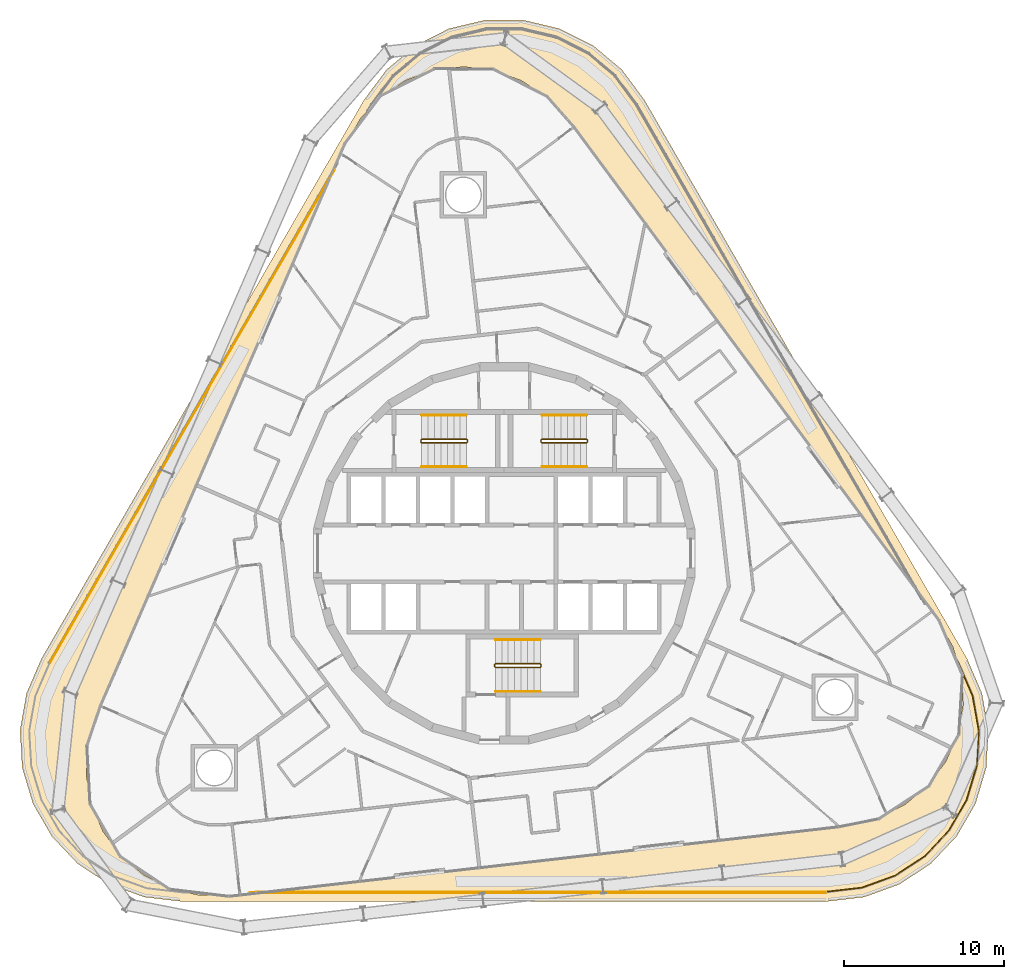
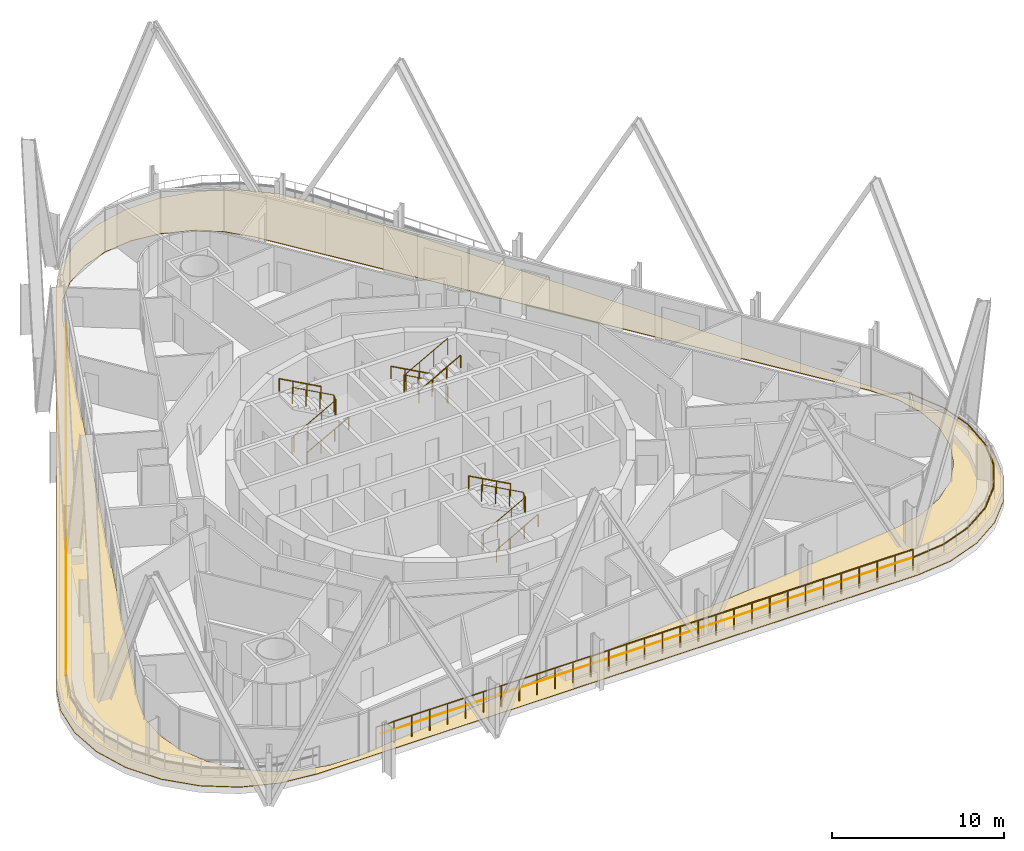
# One storey, part 24 of 32: 13 railings, 1 covering.
"""IFC4 building model written with IfcOpenShell, lengths in metres."""

from ifc_helpers import new_model, si_unit, direction, frame, origin, origin_2d, place, context, subcontext, project, spatial, polyline, circle, outline, extrude, material, layer, layer_set, type_object, element, save


model = new_model("IFC4")

# Units and contexts
model_context = context("Model", 3, precision=1e-05, world=origin(), true_north=direction((0.0, 1.0)))
body_context = subcontext(model_context, "Body", "Model", "MODEL_VIEW")
ifc_project = project(units=[si_unit("LENGTHUNIT", "METRE"), si_unit("AREAUNIT", "SQUARE_METRE"), si_unit("VOLUMEUNIT", "CUBIC_METRE"), si_unit("PLANEANGLEUNIT", "RADIAN"), si_unit("MASSUNIT", "GRAM", prefix="KILO")], contexts=[model_context])

# Site, building, storey
site_placement = place(None, origin())
site = spatial("IfcSite", under=ifc_project, at=site_placement, CompositionType="ELEMENT")
building_placement = place(site_placement, origin())
building = spatial("IfcBuilding", under=site, at=building_placement, Name="Spindle Arch Residences", CompositionType="ELEMENT")
storey_placement = place(building_placement, frame((0.0, 0.0, 76.699951171875)))
storey = spatial("IfcBuildingStorey", under=building, at=storey_placement, Name="L17", CompositionType="ELEMENT", Elevation=76.699951171875)

# Railings
ifc_material_1 = material(Name="Steel, painted", Category="steel")
railing_type_1 = type_object("IfcRailingType", Name="Stair guard 1100", PredefinedType="GUARDRAIL", material=ifc_material_1)
railing_1_placement = place(storey_placement, frame((5.14990234375, 6.89990234375, 3.5)))
element("IfcRailing", 1, at=railing_1_placement, inside=storey, type_object=railing_type_1, Name="L17 ST1 stair guard 1", PredefinedType="GUARDRAIL", context=body_context, shape_type="SweptSolid", body=[
    extrude(circle(Radius=0.02392578125, at=origin_2d()), frame((0.0, 0.0, 1.17578125), z_axis=(-0.877357048833, 0.0, -0.479838106931), x_axis=(0.0, -1.0, 0.0)), (0.0, 0.0, 1.0), 3.191162109375),
    extrude(circle(Radius=0.02392578125, at=origin_2d()), frame((-2.7998046875, 0.0, -0.35546875), z_axis=(-0.217683172539, 0.217683172539, -0.951434744366), x_axis=(-0.707106781187, -0.707106781187, 0.0)), (0.0, 0.0, 1.0), 0.22998046875),
    extrude(circle(Radius=0.02392578125, at=origin_2d()), frame((-2.849853515625, 0.050048828125, -0.57421875), z_axis=(0.0, 1.0, 0.0), x_axis=(-1.0, 0.0, 0.0)), (0.0, 0.0, 1.0), 0.1201171875),
    extrude(circle(Radius=0.02392578125, at=origin_2d()), frame((-2.849853515625, 0.170166015625, -0.57421875), z_axis=(0.707106781187, 0.707106781187, 0.0), x_axis=(-0.707106781187, 0.707106781187, 0.0)), (0.0, 0.0, 1.0), 0.07080078125),
    extrude(circle(Radius=0.02392578125, at=origin_2d()), frame((-2.7998046875, 0.22021484375, -0.57421875), z_axis=(0.877357048833, 0.0, -0.479838106931), x_axis=(0.0, 1.0, 0.0)), (0.0, 0.0, 1.0), 3.191162109375),
    extrude(circle(Radius=0.02392578125, at=origin_2d()), frame((0.0, 0.22021484375, -2.10546875), z_axis=(0.217683172539, -0.217683172539, -0.951434744366), x_axis=(0.707106781187, 0.707106781187, 0.0)), (0.0, 0.0, 1.0), 0.22998046875),
    extrude(circle(Radius=0.02392578125, at=origin_2d()), frame((0.050048828125, 0.170166015625, -2.32421875), z_axis=(0.0, -1.0, 0.0), x_axis=(1.0, 0.0, 0.0)), (0.0, 0.0, 1.0), 0.1201171875),
    extrude(circle(Radius=0.02099609375, at=origin_2d()), origin(), (0.0, 0.0, 1.0), 1.15185546875),
    extrude(circle(Radius=0.02099609375, at=origin_2d()), frame((-0.933349609375, 0.0, -0.510498046875)), (0.0, 0.0, 1.0), 1.15185546875),
    extrude(circle(Radius=0.02099609375, at=origin_2d()), frame((-1.866455078125, 0.0, -1.020751953125)), (0.0, 0.0, 1.0), 1.15185546875),
    extrude(circle(Radius=0.02099609375, at=origin_2d()), frame((-2.7998046875, 0.0, -1.53125)), (0.0, 0.0, 1.0), 1.15185546875),
    extrude(circle(Radius=0.02099609375, at=origin_2d()), frame((-2.849853515625, 0.050048828125, -1.75)), (0.0, 0.0, 1.0), 1.15185546875),
    extrude(circle(Radius=0.02099609375, at=origin_2d()), frame((-2.849853515625, 0.170166015625, -1.75)), (0.0, 0.0, 1.0), 1.15185546875),
    extrude(circle(Radius=0.02099609375, at=origin_2d()), frame((-2.7998046875, 0.22021484375, -1.75)), (0.0, 0.0, 1.0), 1.15185546875),
    extrude(circle(Radius=0.02099609375, at=origin_2d()), frame((-1.866455078125, 0.22021484375, -2.260498046875)), (0.0, 0.0, 1.0), 1.15185546875),
    extrude(circle(Radius=0.02099609375, at=origin_2d()), frame((-0.933349609375, 0.22021484375, -2.770751953125)), (0.0, 0.0, 1.0), 1.15185546875),
    extrude(circle(Radius=0.02099609375, at=origin_2d()), frame((0.0, 0.22021484375, -3.28125)), (0.0, 0.0, 1.0), 1.15185546875),
    extrude(circle(Radius=0.02099609375, at=origin_2d()), frame((0.050048828125, 0.170166015625, -3.5)), (0.0, 0.0, 1.0), 1.15185546875),
    extrude(circle(Radius=0.02099609375, at=origin_2d()), frame((0.050048828125, 0.050048828125, -3.5)), (0.0, 0.0, 1.0), 1.15185546875),
])
railing_2_placement = place(storey_placement, frame((-5.14990234375, 7.1201171875, 3.5)))
element("IfcRailing", 2, at=railing_2_placement, inside=storey, type_object=railing_type_1, Name="L17 ST2 stair guard 1", PredefinedType="GUARDRAIL", context=body_context, shape_type="SweptSolid", body=[
    extrude(circle(Radius=0.02392578125, at=origin_2d()), frame((0.0, 0.0, 1.17578125), z_axis=(0.877357048833, 0.0, -0.479838106931), x_axis=(0.0, 1.0, 0.0)), (0.0, 0.0, 1.0), 3.191162109375),
    extrude(circle(Radius=0.02392578125, at=origin_2d()), frame((2.7998046875, 0.0, -0.35546875), z_axis=(0.217683172539, -0.217683172539, -0.951434744366), x_axis=(0.707106781187, 0.707106781187, 0.0)), (0.0, 0.0, 1.0), 0.22998046875),
    extrude(circle(Radius=0.02392578125, at=origin_2d()), frame((2.849853515625, -0.050048828125, -0.57421875), z_axis=(0.0, -1.0, 0.0), x_axis=(1.0, 0.0, 0.0)), (0.0, 0.0, 1.0), 0.1201171875),
    extrude(circle(Radius=0.02392578125, at=origin_2d()), frame((2.849853515625, -0.170166015625, -0.57421875), z_axis=(-0.707106781187, -0.707106781187, 0.0), x_axis=(0.707106781187, -0.707106781187, 0.0)), (0.0, 0.0, 1.0), 0.07080078125),
    extrude(circle(Radius=0.02392578125, at=origin_2d()), frame((2.7998046875, -0.22021484375, -0.57421875), z_axis=(-0.877357048833, 0.0, -0.479838106931), x_axis=(0.0, -1.0, 0.0)), (0.0, 0.0, 1.0), 3.191162109375),
    extrude(circle(Radius=0.02392578125, at=origin_2d()), frame((0.0, -0.22021484375, -2.10546875), z_axis=(-0.217683172539, 0.217683172539, -0.951434744366), x_axis=(-0.707106781187, -0.707106781187, 0.0)), (0.0, 0.0, 1.0), 0.22998046875),
    extrude(circle(Radius=0.02392578125, at=origin_2d()), frame((-0.050048828125, -0.170166015625, -2.32421875), z_axis=(0.0, 1.0, 0.0), x_axis=(-1.0, 0.0, 0.0)), (0.0, 0.0, 1.0), 0.1201171875),
    extrude(circle(Radius=0.02099609375, at=origin_2d()), origin(), (0.0, 0.0, 1.0), 1.15185546875),
    extrude(circle(Radius=0.02099609375, at=origin_2d()), frame((0.933349609375, 0.0, -0.510498046875)), (0.0, 0.0, 1.0), 1.15185546875),
    extrude(circle(Radius=0.02099609375, at=origin_2d()), frame((1.866455078125, 0.0, -1.020751953125)), (0.0, 0.0, 1.0), 1.15185546875),
    extrude(circle(Radius=0.02099609375, at=origin_2d()), frame((2.7998046875, 0.0, -1.53125)), (0.0, 0.0, 1.0), 1.15185546875),
    extrude(circle(Radius=0.02099609375, at=origin_2d()), frame((2.849853515625, -0.050048828125, -1.75)), (0.0, 0.0, 1.0), 1.15185546875),
    extrude(circle(Radius=0.02099609375, at=origin_2d()), frame((2.849853515625, -0.170166015625, -1.75)), (0.0, 0.0, 1.0), 1.15185546875),
    extrude(circle(Radius=0.02099609375, at=origin_2d()), frame((2.7998046875, -0.22021484375, -1.75)), (0.0, 0.0, 1.0), 1.15185546875),
    extrude(circle(Radius=0.02099609375, at=origin_2d()), frame((1.866455078125, -0.22021484375, -2.260498046875)), (0.0, 0.0, 1.0), 1.15185546875),
    extrude(circle(Radius=0.02099609375, at=origin_2d()), frame((0.933349609375, -0.22021484375, -2.770751953125)), (0.0, 0.0, 1.0), 1.15185546875),
    extrude(circle(Radius=0.02099609375, at=origin_2d()), frame((0.0, -0.22021484375, -3.28125)), (0.0, 0.0, 1.0), 1.15185546875),
    extrude(circle(Radius=0.02099609375, at=origin_2d()), frame((-0.050048828125, -0.170166015625, -3.5)), (0.0, 0.0, 1.0), 1.15185546875),
    extrude(circle(Radius=0.02099609375, at=origin_2d()), frame((-0.050048828125, -0.050048828125, -3.5)), (0.0, 0.0, 1.0), 1.15185546875),
])
railing_3_placement = place(storey_placement, frame((-0.550048828125, -6.89990234375, 3.5)))
element("IfcRailing", 3, at=railing_3_placement, inside=storey, type_object=railing_type_1, Name="L17 ST3 stair guard 1", PredefinedType="GUARDRAIL", context=body_context, shape_type="SweptSolid", body=[
    extrude(circle(Radius=0.02392578125, at=origin_2d()), frame((0.0, 0.0, 1.17578125), z_axis=(0.877374661878, 0.0, -0.479805901063), x_axis=(0.0, 1.0, 0.0)), (0.0, 0.0, 1.0), 3.19140625),
    extrude(circle(Radius=0.02392578125, at=origin_2d()), frame((2.800048828125, 0.0, -0.35546875), z_axis=(0.217683172539, -0.217683172539, -0.951434744366), x_axis=(0.707106781187, 0.707106781187, 0.0)), (0.0, 0.0, 1.0), 0.22998046875),
    extrude(circle(Radius=0.02392578125, at=origin_2d()), frame((2.85009765625, -0.050048828125, -0.57421875), z_axis=(0.0, -1.0, 0.0), x_axis=(1.0, 0.0, 0.0)), (0.0, 0.0, 1.0), 0.1201171875),
    extrude(circle(Radius=0.02392578125, at=origin_2d()), frame((2.85009765625, -0.170166015625, -0.57421875), z_axis=(-0.707106781187, -0.707106781187, 0.0), x_axis=(0.707106781187, -0.707106781187, 0.0)), (0.0, 0.0, 1.0), 0.07080078125),
    extrude(circle(Radius=0.02392578125, at=origin_2d()), frame((2.800048828125, -0.22021484375, -0.57421875), z_axis=(-0.877374661878, 0.0, -0.479805901063), x_axis=(0.0, -1.0, 0.0)), (0.0, 0.0, 1.0), 3.19140625),
    extrude(circle(Radius=0.02392578125, at=origin_2d()), frame((0.0, -0.22021484375, -2.10546875), z_axis=(-0.217683172539, 0.217683172539, -0.951434744366), x_axis=(-0.707106781187, -0.707106781187, 0.0)), (0.0, 0.0, 1.0), 0.22998046875),
    extrude(circle(Radius=0.02392578125, at=origin_2d()), frame((-0.050048828125, -0.170166015625, -2.32421875), z_axis=(0.0, 1.0, 0.0), x_axis=(-1.0, 0.0, 0.0)), (0.0, 0.0, 1.0), 0.1201171875),
    extrude(circle(Radius=0.02099609375, at=origin_2d()), origin(), (0.0, 0.0, 1.0), 1.15185546875),
    extrude(circle(Radius=0.02099609375, at=origin_2d()), frame((0.933349609375, 0.0, -0.510498046875)), (0.0, 0.0, 1.0), 1.15185546875),
    extrude(circle(Radius=0.02099609375, at=origin_2d()), frame((1.86669921875, 0.0, -1.020751953125)), (0.0, 0.0, 1.0), 1.15185546875),
    extrude(circle(Radius=0.02099609375, at=origin_2d()), frame((2.800048828125, 0.0, -1.53125)), (0.0, 0.0, 1.0), 1.15185546875),
    extrude(circle(Radius=0.02099609375, at=origin_2d()), frame((2.85009765625, -0.050048828125, -1.75)), (0.0, 0.0, 1.0), 1.15185546875),
    extrude(circle(Radius=0.02099609375, at=origin_2d()), frame((2.85009765625, -0.170166015625, -1.75)), (0.0, 0.0, 1.0), 1.15185546875),
    extrude(circle(Radius=0.02099609375, at=origin_2d()), frame((2.800048828125, -0.22021484375, -1.75)), (0.0, 0.0, 1.0), 1.15185546875),
    extrude(circle(Radius=0.02099609375, at=origin_2d()), frame((1.86669921875, -0.22021484375, -2.260498046875)), (0.0, 0.0, 1.0), 1.15185546875),
    extrude(circle(Radius=0.02099609375, at=origin_2d()), frame((0.933349609375, -0.22021484375, -2.770751953125)), (0.0, 0.0, 1.0), 1.15185546875),
    extrude(circle(Radius=0.02099609375, at=origin_2d()), frame((0.0, -0.22021484375, -3.28125)), (0.0, 0.0, 1.0), 1.15185546875),
    extrude(circle(Radius=0.02099609375, at=origin_2d()), frame((-0.050048828125, -0.170166015625, -3.5)), (0.0, 0.0, 1.0), 1.15185546875),
    extrude(circle(Radius=0.02099609375, at=origin_2d()), frame((-0.050048828125, -0.050048828125, -3.5)), (0.0, 0.0, 1.0), 1.15185546875),
])
ifc_material_2 = material(Name="Steel, painted", Category="steel")
railing_type_2 = type_object("IfcRailingType", Name="Stair handrail 900", PredefinedType="HANDRAIL", material=ifc_material_2)
railing_4_placement = place(storey_placement, frame((5.14990234375, 8.6201171875, 0.21875)))
element("IfcRailing", 4, at=railing_4_placement, inside=storey, type_object=railing_type_2, Name="L17 ST1 stair handrail 1", PredefinedType="HANDRAIL", context=body_context, shape_type="SweptSolid", body=[
    extrude(circle(Radius=0.02392578125, at=origin_2d()), frame((0.0, 0.0, 0.8759765625), z_axis=(-0.877357048833, 0.0, 0.479838106931), x_axis=(0.0, -1.0, 0.0)), (0.0, 0.0, 1.0), 3.191162109375),
    extrude(circle(Radius=0.02099609375, at=origin_2d()), origin(), (0.0, 0.0, 1.0), 0.851806640625),
    extrude(circle(Radius=0.02099609375, at=origin_2d()), frame((-0.933349609375, 0.0, 0.510498046875)), (0.0, 0.0, 1.0), 0.851806640625),
    extrude(circle(Radius=0.02099609375, at=origin_2d()), frame((-1.866455078125, 0.0, 1.020751953125)), (0.0, 0.0, 1.0), 0.851806640625),
    extrude(circle(Radius=0.02099609375, at=origin_2d()), frame((-2.7998046875, 0.0, 1.53125)), (0.0, 0.0, 1.0), 0.851806640625),
])
for number, where, name in (
    (5, (2.35009765625, 5.39990234375, 1.96875), "L17 ST1 stair handrail 2"),
    (6, (-5.14990234375, 5.39990234375, 0.21875), "L17 ST2 stair handrail 1"),
):
    element("IfcRailing", number, at=place(storey_placement, frame(where)), inside=storey, type_object=railing_type_2, Name=name, PredefinedType="HANDRAIL", context=body_context, shape_type="SweptSolid", body=[
        extrude(circle(Radius=0.02392578125, at=origin_2d()), frame((0.0, 0.0, 0.8759765625), z_axis=(0.877357048833, 0.0, 0.479838106931), x_axis=(0.0, 1.0, 0.0)), (0.0, 0.0, 1.0), 3.191162109375),
        extrude(circle(Radius=0.02099609375, at=origin_2d()), origin(), (0.0, 0.0, 1.0), 0.851806640625),
        extrude(circle(Radius=0.02099609375, at=origin_2d()), frame((0.933349609375, 0.0, 0.510498046875)), (0.0, 0.0, 1.0), 0.851806640625),
        extrude(circle(Radius=0.02099609375, at=origin_2d()), frame((1.866455078125, 0.0, 1.020751953125)), (0.0, 0.0, 1.0), 0.851806640625),
        extrude(circle(Radius=0.02099609375, at=origin_2d()), frame((2.7998046875, 0.0, 1.53125)), (0.0, 0.0, 1.0), 0.851806640625),
    ])
railing_5_placement = place(storey_placement, frame((-2.35009765625, 8.6201171875, 1.96875)))
element("IfcRailing", 7, at=railing_5_placement, inside=storey, type_object=railing_type_2, Name="L17 ST2 stair handrail 2", PredefinedType="HANDRAIL", context=body_context, shape_type="SweptSolid", body=[
    extrude(circle(Radius=0.02392578125, at=origin_2d()), frame((0.0, 0.0, 0.8759765625), z_axis=(-0.877357048833, 0.0, 0.479838106931), x_axis=(0.0, -1.0, 0.0)), (0.0, 0.0, 1.0), 3.191162109375),
    extrude(circle(Radius=0.02099609375, at=origin_2d()), origin(), (0.0, 0.0, 1.0), 0.851806640625),
    extrude(circle(Radius=0.02099609375, at=origin_2d()), frame((-0.933349609375, 0.0, 0.510498046875)), (0.0, 0.0, 1.0), 0.851806640625),
    extrude(circle(Radius=0.02099609375, at=origin_2d()), frame((-1.866455078125, 0.0, 1.020751953125)), (0.0, 0.0, 1.0), 0.851806640625),
    extrude(circle(Radius=0.02099609375, at=origin_2d()), frame((-2.7998046875, 0.0, 1.53125)), (0.0, 0.0, 1.0), 0.851806640625),
])
railing_6_placement = place(storey_placement, frame((-0.550048828125, -8.6201171875, 0.21875)))
element("IfcRailing", 8, at=railing_6_placement, inside=storey, type_object=railing_type_2, Name="L17 ST3 stair handrail 1", PredefinedType="HANDRAIL", context=body_context, shape_type="SweptSolid", body=[
    extrude(circle(Radius=0.02392578125, at=origin_2d()), frame((0.0, 0.0, 0.8759765625), z_axis=(0.877374661878, 0.0, 0.479805901063), x_axis=(0.0, 1.0, 0.0)), (0.0, 0.0, 1.0), 3.19140625),
    extrude(circle(Radius=0.02099609375, at=origin_2d()), origin(), (0.0, 0.0, 1.0), 0.851806640625),
    extrude(circle(Radius=0.02099609375, at=origin_2d()), frame((0.933349609375, 0.0, 0.510498046875)), (0.0, 0.0, 1.0), 0.851806640625),
    extrude(circle(Radius=0.02099609375, at=origin_2d()), frame((1.86669921875, 0.0, 1.020751953125)), (0.0, 0.0, 1.0), 0.851806640625),
    extrude(circle(Radius=0.02099609375, at=origin_2d()), frame((2.800048828125, 0.0, 1.53125)), (0.0, 0.0, 1.0), 0.851806640625),
])
railing_7_placement = place(storey_placement, frame((2.25, -5.39990234375, 1.96875)))
element("IfcRailing", 9, at=railing_7_placement, inside=storey, type_object=railing_type_2, Name="L17 ST3 stair handrail 2", PredefinedType="HANDRAIL", context=body_context, shape_type="SweptSolid", body=[
    extrude(circle(Radius=0.02392578125, at=origin_2d()), frame((0.0, 0.0, 0.8759765625), z_axis=(-0.877374661878, 0.0, 0.479805901063), x_axis=(0.0, -1.0, 0.0)), (0.0, 0.0, 1.0), 3.19140625),
    extrude(circle(Radius=0.02099609375, at=origin_2d()), origin(), (0.0, 0.0, 1.0), 0.851806640625),
    extrude(circle(Radius=0.02099609375, at=origin_2d()), frame((-0.933349609375, 0.0, 0.510498046875)), (0.0, 0.0, 1.0), 0.851806640625),
    extrude(circle(Radius=0.02099609375, at=origin_2d()), frame((-1.86669921875, 0.0, 1.020751953125)), (0.0, 0.0, 1.0), 0.851806640625),
    extrude(circle(Radius=0.02099609375, at=origin_2d()), frame((-2.800048828125, 0.0, 1.53125)), (0.0, 0.0, 1.0), 0.851806640625),
])
ifc_material_3 = material(Name="Bronze anodised aluminium guard with glass infill", Category="aluminium")
railing_type_3 = type_object("IfcRailingType", Name="Terrace guard 1500", PredefinedType="GUARDRAIL", material=ifc_material_3)
railing_8_placement = place(storey_placement, frame((20.111572265625, -21.179931640625, 0.030029296875)))
element("IfcRailing", 10, at=railing_8_placement, inside=storey, type_object=railing_type_3, Name="Terrace guard L16 1", PredefinedType="GUARDRAIL", context=body_context, shape_type="SweptSolid", body=[
    extrude(circle(Radius=0.02392578125, at=origin_2d()), frame((0.0, 0.0, 1.47607421875), z_axis=(-1.0, 0.0, 0.0), x_axis=(0.0, -1.0, 0.0)), (0.0, 0.0, 1.0), 35.97900390625),
    extrude(circle(Radius=0.02099609375, at=origin_2d()), origin(), (0.0, 0.0, 1.0), 1.451904296875),
    extrude(circle(Radius=0.02099609375, at=origin_2d()), frame((-1.19921875, 0.0, 0.0)), (0.0, 0.0, 1.0), 1.451904296875),
    extrude(circle(Radius=0.02099609375, at=origin_2d()), frame((-2.398681640625, 0.0, 0.0)), (0.0, 0.0, 1.0), 1.451904296875),
    extrude(circle(Radius=0.02099609375, at=origin_2d()), frame((-3.597900390625, 0.0, 0.0)), (0.0, 0.0, 1.0), 1.451904296875),
    extrude(circle(Radius=0.02099609375, at=origin_2d()), frame((-4.797119140625, 0.0, 0.0)), (0.0, 0.0, 1.0), 1.451904296875),
    extrude(circle(Radius=0.02099609375, at=origin_2d()), frame((-5.99658203125, 0.0, 0.0)), (0.0, 0.0, 1.0), 1.451904296875),
    extrude(circle(Radius=0.02099609375, at=origin_2d()), frame((-7.19580078125, 0.0, 0.0)), (0.0, 0.0, 1.0), 1.451904296875),
    extrude(circle(Radius=0.02099609375, at=origin_2d()), frame((-8.39501953125, 0.0, 0.0)), (0.0, 0.0, 1.0), 1.451904296875),
    extrude(circle(Radius=0.02099609375, at=origin_2d()), frame((-9.594482421875, 0.0, 0.0)), (0.0, 0.0, 1.0), 1.451904296875),
    extrude(circle(Radius=0.02099609375, at=origin_2d()), frame((-10.793701171875, 0.0, 0.0)), (0.0, 0.0, 1.0), 1.451904296875),
    extrude(circle(Radius=0.02099609375, at=origin_2d()), frame((-11.992919921875, 0.0, 0.0)), (0.0, 0.0, 1.0), 1.451904296875),
    extrude(circle(Radius=0.02099609375, at=origin_2d()), frame((-13.1923828125, 0.0, 0.0)), (0.0, 0.0, 1.0), 1.451904296875),
    extrude(circle(Radius=0.02099609375, at=origin_2d()), frame((-14.3916015625, 0.0, 0.0)), (0.0, 0.0, 1.0), 1.451904296875),
    extrude(circle(Radius=0.02099609375, at=origin_2d()), frame((-15.5908203125, 0.0, 0.0)), (0.0, 0.0, 1.0), 1.451904296875),
    extrude(circle(Radius=0.02099609375, at=origin_2d()), frame((-16.790283203125, 0.0, 0.0)), (0.0, 0.0, 1.0), 1.451904296875),
    extrude(circle(Radius=0.02099609375, at=origin_2d()), frame((-17.989501953125, 0.0, 0.0)), (0.0, 0.0, 1.0), 1.451904296875),
    extrude(circle(Radius=0.02099609375, at=origin_2d()), frame((-19.188720703125, 0.0, 0.0)), (0.0, 0.0, 1.0), 1.451904296875),
    extrude(circle(Radius=0.02099609375, at=origin_2d()), frame((-20.38818359375, 0.0, 0.0)), (0.0, 0.0, 1.0), 1.451904296875),
    extrude(circle(Radius=0.02099609375, at=origin_2d()), frame((-21.58740234375, 0.0, 0.0)), (0.0, 0.0, 1.0), 1.451904296875),
    extrude(circle(Radius=0.02099609375, at=origin_2d()), frame((-22.78662109375, 0.0, 0.0)), (0.0, 0.0, 1.0), 1.451904296875),
    extrude(circle(Radius=0.02099609375, at=origin_2d()), frame((-23.986083984375, 0.0, 0.0)), (0.0, 0.0, 1.0), 1.451904296875),
    extrude(circle(Radius=0.02099609375, at=origin_2d()), frame((-25.185302734375, 0.0, 0.0)), (0.0, 0.0, 1.0), 1.451904296875),
    extrude(circle(Radius=0.02099609375, at=origin_2d()), frame((-26.384521484375, 0.0, 0.0)), (0.0, 0.0, 1.0), 1.451904296875),
    extrude(circle(Radius=0.02099609375, at=origin_2d()), frame((-27.583984375, 0.0, 0.0)), (0.0, 0.0, 1.0), 1.451904296875),
    extrude(circle(Radius=0.02099609375, at=origin_2d()), frame((-28.783203125, 0.0, 0.0)), (0.0, 0.0, 1.0), 1.451904296875),
    extrude(circle(Radius=0.02099609375, at=origin_2d()), frame((-29.982421875, 0.0, 0.0)), (0.0, 0.0, 1.0), 1.451904296875),
    extrude(circle(Radius=0.02099609375, at=origin_2d()), frame((-31.181884765625, 0.0, 0.0)), (0.0, 0.0, 1.0), 1.451904296875),
    extrude(circle(Radius=0.02099609375, at=origin_2d()), frame((-32.381103515625, 0.0, 0.0)), (0.0, 0.0, 1.0), 1.451904296875),
    extrude(circle(Radius=0.02099609375, at=origin_2d()), frame((-33.580322265625, 0.0, 0.0)), (0.0, 0.0, 1.0), 1.451904296875),
    extrude(circle(Radius=0.02099609375, at=origin_2d()), frame((-34.77978515625, 0.0, 0.0)), (0.0, 0.0, 1.0), 1.451904296875),
    extrude(circle(Radius=0.02099609375, at=origin_2d()), frame((-35.97900390625, 0.0, 0.0)), (0.0, 0.0, 1.0), 1.451904296875),
])
ifc_material_4 = material(Name="Bronze anodised aluminium handrail", Category="aluminium")
railing_type_4 = type_object("IfcRailingType", Name="Terrace handrail 900", PredefinedType="HANDRAIL", material=ifc_material_4)
railing_9_placement = place(storey_placement, frame((20.109130859375, -21.137939453125, 0.030029296875)))
element("IfcRailing", 11, at=railing_9_placement, inside=storey, type_object=railing_type_4, Name="Terrace handrail L16 1", PredefinedType="HANDRAIL", context=body_context, shape_type="SweptSolid", body=[
    extrude(circle(Radius=0.02392578125, at=origin_2d()), frame((0.0, 0.0, 0.8759765625), z_axis=(-1.0, 0.0, 0.0), x_axis=(0.0, -1.0, 0.0)), (0.0, 0.0, 1.0), 35.60791015625),
])
railing_10_placement = place(storey_placement, frame((-28.360595703125, -6.845947265625, 0.030029296875)))
element("IfcRailing", 12, at=railing_10_placement, inside=storey, type_object=railing_type_4, Name="Terrace handrail L16 4", PredefinedType="HANDRAIL", context=body_context, shape_type="SweptSolid", body=[
    extrude(circle(Radius=0.02392578125, at=origin_2d()), frame((0.0, 0.0, 0.8759765625), z_axis=(0.500002390388, 0.866024023689, 0.0), x_axis=(-0.866024023689, 0.500002390388, 0.0)), (0.0, 0.0, 1.0), 35.607666015625),
])
railing_11_placement = place(storey_placement, frame((28.231201171875, -6.602783203125, 0.030029296875)))
element("IfcRailing", 13, at=railing_11_placement, inside=storey, type_object=railing_type_4, Name="Terrace handrail L16 9", PredefinedType="HANDRAIL", context=body_context, shape_type="SweptSolid", body=[
    extrude(circle(Radius=0.02392578125, at=origin_2d()), frame((0.0, 0.0, 0.8759765625), z_axis=(-0.962449675986, -0.271460165022, 0.0), x_axis=(0.271460165022, -0.962449675986, 0.0)), (0.0, 0.0, 1.0), 0.010009765625),
    extrude(circle(Radius=0.02392578125, at=origin_2d()), frame((-0.009521484375, -0.002685546875, 0.8759765625), z_axis=(0.500204365392, -0.865907381215, 0.0), x_axis=(0.865907381215, 0.500204365392, 0.0)), (0.0, 0.0, 1.0), 0.27783203125),
    extrude(circle(Radius=0.02392578125, at=origin_2d()), frame((0.12939453125, -0.2431640625, 0.8759765625), z_axis=(0.396047894447, -0.918229854287, 0.0), x_axis=(0.918229854287, 0.396047894447, 0.0)), (0.0, 0.0, 1.0), 2.241455078125),
    extrude(circle(Radius=0.02392578125, at=origin_2d()), frame((1.01708984375, -2.30126953125, 0.8759765625), z_axis=(0.173684358034, -0.984801372752, 0.0), x_axis=(0.984801372752, 0.173684358034, 0.0)), (0.0, 0.0, 1.0), 2.206787109375),
    extrude(circle(Radius=0.02392578125, at=origin_2d()), frame((1.400390625, -4.474609375, 0.8759765625), z_axis=(-0.058196664359, -0.99830513785, 0.0), x_axis=(0.99830513785, -0.058196664359, 0.0)), (0.0, 0.0, 1.0), 2.20654296875),
    extrude(circle(Radius=0.02392578125, at=origin_2d()), frame((1.27197265625, -6.677490234375, 0.8759765625), z_axis=(-0.286769276375, -0.957999677519, 0.0), x_axis=(0.957999677519, -0.286769276375, 0.0)), (0.0, 0.0, 1.0), 2.206787109375),
    extrude(circle(Radius=0.02392578125, at=origin_2d()), frame((0.63916015625, -8.79150390625, 0.8759765625), z_axis=(-0.500089568931, -0.865973684962, 0.0), x_axis=(0.865973684962, -0.500089568931, 0.0)), (0.0, 0.0, 1.0), 2.20654296875),
    extrude(circle(Radius=0.02392578125, at=origin_2d()), frame((-0.46435546875, -10.702392578125, 0.8759765625), z_axis=(-0.686171827527, -0.727439497902, 0.0), x_axis=(0.727439497902, -0.686171827527, 0.0)), (0.0, 0.0, 1.0), 2.206787109375),
    extrude(circle(Radius=0.02392578125, at=origin_2d()), frame((-1.978515625, -12.3076171875, 0.8759765625), z_axis=(-0.835489260904, -0.54950677422, 0.0), x_axis=(0.54950677422, -0.835489260904, 0.0)), (0.0, 0.0, 1.0), 2.206787109375),
    extrude(circle(Radius=0.02392578125, at=origin_2d()), frame((-3.822265625, -13.520263671875, 0.8759765625), z_axis=(-0.939699704184, -0.342000681224, 0.0), x_axis=(0.342000681224, -0.939699704184, 0.0)), (0.0, 0.0, 1.0), 2.20654296875),
    extrude(circle(Radius=0.02392578125, at=origin_2d()), frame((-5.895751953125, -14.27490234375, 0.8759765625), z_axis=(-0.993236577172, -0.116108146865, 0.0), x_axis=(0.116108146865, -0.993236577172, 0.0)), (0.0, 0.0, 1.0), 2.241455078125),
])

# Covering
ifc_material_5 = material(Name="Non-combustible mineral wool, bituminous membrane and concrete pavers", Category="concrete")
ifc_layer = layer(ifc_material_5, 0.030029296875)
ifc_layer_set = layer_set([ifc_layer], Name="Terrace roofing membrane and pavers")
covering_type = type_object("IfcCoveringType", Name="Terrace roofing membrane and pavers", PredefinedType="ROOFING", material=ifc_layer_set)
covering_placement = place(storey_placement, origin())
element("IfcCovering", 14, at=covering_placement, inside=storey, type_object=covering_type, Name="Terrace roofing L16 1", PredefinedType="ROOFING", context=body_context, shape_type="SweptSolid", body=[
    extrude(outline(polyline([(-20.1435546875, -21.72998046875), (-22.472900390625, -21.457763671875), (-24.676513671875, -20.655517578125), (-26.6357421875, -19.366943359375), (-28.2451171875, -17.6611328125), (-29.41748046875, -15.63037109375), (-30.090087890625, -13.3837890625), (-30.2265625, -11.042724609375), (-29.8193359375, -8.733154296875), (-28.890380859375, -6.579833984375), (-8.746826171875, 28.309814453125), (-7.346435546875, 30.19091796875), (-5.550048828125, 31.6982421875), (-3.454345703125, 32.750732421875), (-1.172607421875, 33.29150390625), (1.172607421875, 33.29150390625), (3.454345703125, 32.750732421875), (5.550048828125, 31.6982421875), (7.346435546875, 30.19091796875), (8.746826171875, 28.309814453125), (28.890380859375, -6.579833984375), (29.8193359375, -8.733154296875), (30.2265625, -11.042724609375), (30.090087890625, -13.3837890625), (29.41748046875, -15.63037109375), (28.2451171875, -17.6611328125), (26.6357421875, -19.366943359375), (24.676513671875, -20.655517578125), (22.472900390625, -21.457763671875), (20.1435546875, -21.72998046875), (0.0, -21.72998046875), (-20.1435546875, -21.72998046875)]), holes=[polyline([(21.55322265625, -16.926513671875), (23.36181640625, -16.50341796875), (25.024169921875, -15.674560546875), (26.45068359375, -14.484619140625), (27.564208984375, -12.998046875), (28.304931640625, -11.294677734375), (28.6328125, -9.46630859375), (28.530029296875, -7.611572265625), (28.00244140625, -5.83056640625), (27.07861328125, -4.21923828125), (3.882080078125, 27.12890625), (2.611328125, 28.483642578125), (1.0625, 29.5087890625), (-0.68115234375, 30.149169921875), (-2.525390625, 30.370361328125), (-4.37109375, 30.159912109375), (-6.118408203125, 29.52978515625), (-7.67333984375, 28.513671875), (-8.951904296875, 27.166259765625), (-9.88525390625, 25.560302734375), (-25.435302734375, -10.202392578125), (-25.97314453125, -11.98046875), (-26.086669921875, -13.83447265625), (-25.76953125, -15.66455078125), (-25.03857421875, -17.372314453125), (-23.933837890625, -18.865478515625), (-22.514404296875, -20.0634765625), (-20.85693359375, -20.902099609375), (-19.05078125, -21.335693359375), (-17.193359375, -21.341064453125), (2.179931640625, -19.1337890625), (21.55322265625, -16.926513671875)])]), origin(), (0.0, 0.0, 1.0), 0.030029296875),
])

save(model, "model.ifc")
